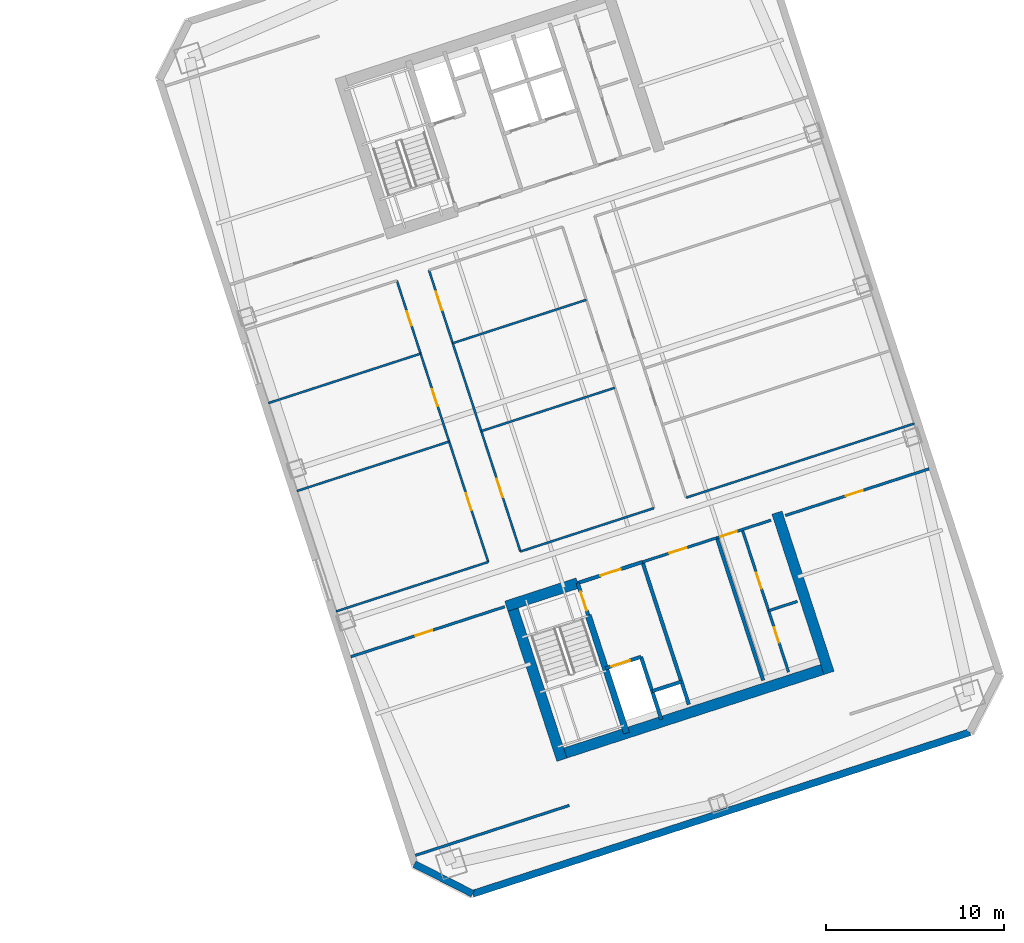
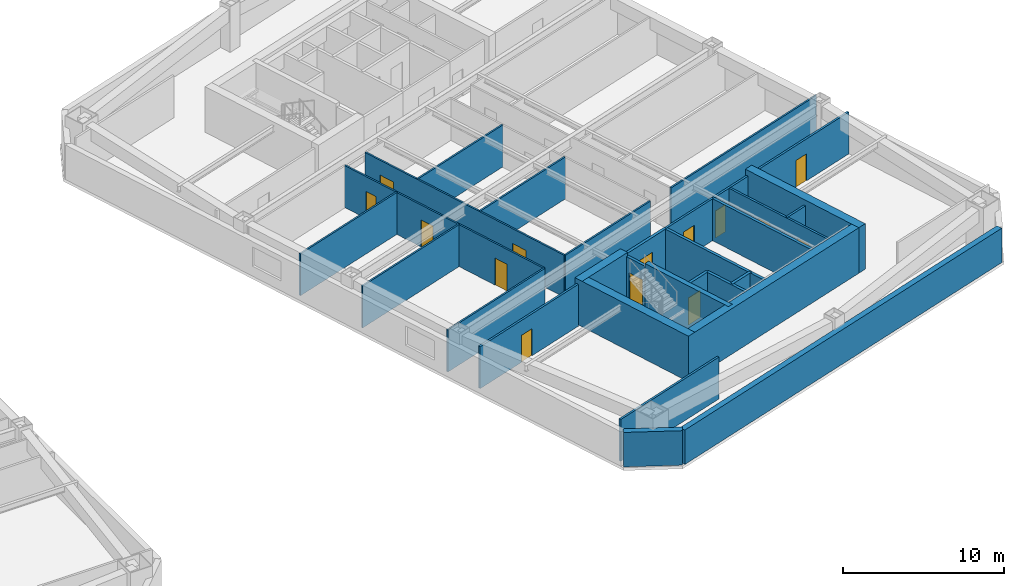
# One storey, part 6 of 11: 30 walls, 14 doors, 14 openings.
"""IFC4 building model written with IfcOpenShell, lengths in metres."""

from ifc_helpers import new_model, si_unit, direction, frame, frame_2d, origin, place, context, subcontext, project, spatial, rectangle, extrude, material, layer, layer_set, type_object, element, fill, save


model = new_model("IFC4")

# Units and contexts
model_context = context("Model", 3, precision=1e-05, world=origin(), true_north=direction((0.0, 1.0)))
body_context = subcontext(model_context, "Body", "Model", "MODEL_VIEW")
ifc_project = project(units=[si_unit("LENGTHUNIT", "METRE"), si_unit("AREAUNIT", "SQUARE_METRE"), si_unit("VOLUMEUNIT", "CUBIC_METRE"), si_unit("PLANEANGLEUNIT", "RADIAN"), si_unit("MASSUNIT", "GRAM", prefix="KILO")], contexts=[model_context])

# Site, building, storey
site_placement = place(None, origin())
site = spatial("IfcSite", under=ifc_project, at=site_placement, CompositionType="ELEMENT")
building_placement = place(site_placement, origin())
building = spatial("IfcBuilding", under=site, at=building_placement, Name="Qiaolan Cultural Towers", CompositionType="ELEMENT")
storey_placement = place(building_placement, frame((0.0, 0.0, 117.300048828125)))
storey = spatial("IfcBuildingStorey", under=building, at=storey_placement, Name="L30", CompositionType="ELEMENT", Elevation=117.300048828125)

# Walls
ifc_material_1 = material(Name="Concrete C50", Category="concrete")
ifc_layer_1 = layer(ifc_material_1, 0.35009765625)
ifc_layer_set_1 = layer_set([ifc_layer_1], Name="Concrete C50")
wall_type_1 = type_object("IfcWallType", Name="WL-CORE-350", PredefinedType="SHEAR", material=ifc_layer_set_1)
wall_1_placement = place(storey_placement, frame((90.486328125, 20.59423828125, 0.0), z_axis=(0.0, 0.0, 1.0), x_axis=(0.309020428229, -0.951055400562, 0.0)))
element("IfcWall", 1, at=wall_1_placement, inside=storey, type_object=wall_type_1, Name="L30 T2-CS Stair Core Dividing Web", PredefinedType="SHEAR", context=body_context, shape_type="SweptSolid", body=[
    extrude(rectangle(XDim=6.97998046875, YDim=0.35009765625, at=frame_2d((3.489990234375, 0.0))), origin(), (0.0, 0.0, 1.0), 3.449951171875),
])
ifc_material_2 = material(Name="Concrete C55", Category="concrete")
ifc_layer_2 = layer(ifc_material_2, 0.60009765625)
ifc_layer_set_2 = layer_set([ifc_layer_2], Name="Concrete C55")
wall_type_2 = type_object("IfcWallType", Name="WL-CORE-600", PredefinedType="SHEAR", material=ifc_layer_set_2)
wall_2_placement = place(storey_placement, frame((88.6298828125, 12.65185546875, 0.0), z_axis=(0.0, 0.0, 1.0), x_axis=(0.95105714907, 0.309015046886, 0.0)))
element("IfcWall", 2, at=wall_2_placement, inside=storey, type_object=wall_type_2, Name="L30 T2-CS Outer Core Shear Wall", PredefinedType="SHEAR", context=body_context, shape_type="SweptSolid", body=[
    extrude(rectangle(XDim=16.400146484375, YDim=0.60009765625, at=frame_2d((8.2001953125, 0.0))), origin(), (0.0, 0.0, 1.0), 3.449951171875),
])
wall_3_placement = place(storey_placement, frame((86.078369140625, 21.47509765625, 0.0), z_axis=(0.0, 0.0, 1.0), x_axis=(0.309017938678, -0.951056209472, 0.0)))
element("IfcWall", 3, at=wall_3_placement, inside=storey, type_object=wall_type_2, Name="L30 T2-CS West Core Shear Wall", PredefinedType="SHEAR", context=body_context, shape_type="SweptSolid", body=[
    extrude(rectangle(XDim=9.479736328125, YDim=0.60009765625, at=frame_2d((4.73974609375, 0.0))), origin(), (0.0, 0.0, 1.0), 3.449951171875),
])
wall_4_placement = place(storey_placement, frame((101.105224609375, 26.357666015625, 0.0), z_axis=(0.0, 0.0, 1.0), x_axis=(0.309010370028, -0.95105866865, 0.0)))
element("IfcWall", 4, at=wall_4_placement, inside=storey, type_object=wall_type_2, Name="L30 T2-CS East Core Shear Wall", PredefinedType="SHEAR", context=body_context, shape_type="SweptSolid", body=[
    extrude(rectangle(XDim=9.47998046875, YDim=0.60009765625, at=frame_2d((4.739990234375, 0.0))), origin(), (0.0, 0.0, 1.0), 3.449951171875),
])
wall_5_placement = place(storey_placement, frame((85.8857421875, 21.09716796875, 0.0), z_axis=(0.0, 0.0, 1.0), x_axis=(0.951068073652, 0.308981422225, 0.0)))
element("IfcWall", 5, at=wall_5_placement, inside=storey, type_object=wall_type_2, Name="L30 T2-CS Stair Front Shear Wall", PredefinedType="SHEAR", context=body_context, shape_type="SweptSolid", body=[
    extrude(rectangle(XDim=4.22021484375, YDim=0.60009765625, at=frame_2d((2.110107421875, 0.0))), origin(), (0.0, 0.0, 1.0), 3.449951171875),
])
ifc_material_3 = material(Name="Precast Concrete C50 Honed Stone Pier", Category="masonry")
ifc_layer_3 = layer(ifc_material_3, 0.39990234375)
ifc_layer_set_3 = layer_set([ifc_layer_3], Name="Precast Concrete C50 Honed Stone Pier")
wall_type_3 = type_object("IfcWallType", Name="WL-EXT-PIER-400", PredefinedType="SOLIDWALL", material=ifc_layer_set_3)
wall_6_placement = place(storey_placement, frame((111.953125, 14.00537109375, 0.0), z_axis=(0.0, 0.0, 1.0), x_axis=(-0.95105505922, -0.309021478754, 0.0)))
element("IfcWall", 6, at=wall_6_placement, inside=storey, type_object=wall_type_3, Name="L30 East Tower Precast Pier Facade Wall F7", PredefinedType="SOLIDWALL", context=body_context, shape_type="SweptSolid", body=[
    extrude(rectangle(XDim=29.39990234375, YDim=0.39990234375, at=frame_2d((14.699951171875, 0.0))), origin(), (0.0, 0.0, 1.0), 2.60986328125),
])
wall_7_placement = place(storey_placement, frame((83.9921875, 4.920166015625, 0.0), z_axis=(0.0, 0.0, 1.0), x_axis=(-0.891001999643, 0.45399937955, 0.0)))
element("IfcWall", 7, at=wall_7_placement, inside=storey, type_object=wall_type_3, Name="L30 East Tower Precast Pier Facade Wall F8", PredefinedType="SOLIDWALL", context=body_context, shape_type="SweptSolid", body=[
    extrude(rectangle(XDim=3.67724609375, YDim=0.39990234375, at=frame_2d((1.838623046875, 0.0))), origin(), (0.0, 0.0, 1.0), 2.60986328125),
])

# Wall, opening, door
ifc_material_4 = material(Name="Concrete C35 Fire Wall", Category="concrete")
ifc_layer_4 = layer(ifc_material_4, 0.199951171875)
ifc_layer_set_4 = layer_set([ifc_layer_4], Name="Concrete C35 Fire Wall")
wall_type_4 = type_object("IfcWallType", Name="WL-FIRE-200", PredefinedType="PARTITIONING", material=ifc_layer_set_4)
wall_8_placement = place(storey_placement, frame((89.8994140625, 22.401123046875, 0.0), z_axis=(0.0, 0.0, 1.0), x_axis=(0.308932062672, -0.951084108086, 0.0)))
wall_8 = element("IfcWall", 8, at=wall_8_placement, inside=storey, type_object=wall_type_4, Name="L30 T2-CS Smokeproof Stair Entry Wall", PredefinedType="PARTITIONING", context=body_context, shape_type="SweptSolid", body=[
    extrude(rectangle(XDim=1.89990234375, YDim=0.199951171875, at=frame_2d((0.949951171875, 0.0))), origin(), (0.0, 0.0, 1.0), 3.175048828125),
])
opening_1_placement = place(wall_8_placement, frame((0.52001953125, 0.0, 0.0)))
opening_1 = element("IfcOpeningElement", 9, at=opening_1_placement, cuts=wall_8, Name="Opening FD-04", PredefinedType="OPENING", context=body_context, shape_type="SweptSolid", body=[
    extrude(rectangle(XDim=1.10009765625, YDim=2.050048828125, at=frame_2d((0.550048828125, 1.02490234375))), frame((0.0, 0.10986328125, 0.0), z_axis=(0.0, -1.0, 0.0), x_axis=(1.0, 0.0, 0.0)), (0.0, 0.0, 1.0), 0.219970703125),
])
ifc_material_5 = material(Name="Galvanized Steel Command Fire Door", Category="steel")
door_type_1 = type_object("IfcDoorType", Name="DR-FD90-1100", OperationType="NOTDEFINED", PredefinedType="DOOR", material=ifc_material_5)
door_1_placement = place(opening_1_placement, origin())
door_1 = element("IfcDoor", 10, at=door_1_placement, inside=storey, type_object=door_type_1, Name="L30 ST-E1 Smokeproof Stair Fire Door", OperationType="SINGLE_SWING_LEFT", OverallHeight=2.050048828125, OverallWidth=1.10009765625, PredefinedType="DOOR", context=body_context, shape_type="SweptSolid", body=[
    extrude(rectangle(XDim=1.10009765625, YDim=2.050048828125, at=frame_2d((0.550048828125, 1.02490234375))), frame((0.0, 0.02490234375, 0.0), z_axis=(0.0, -1.0, 0.0), x_axis=(1.0, 0.0, 0.0)), (0.0, 0.0, 1.0), 0.050048828125),
])
fill(opening_1, door_1)

# Wall
wall_9_placement = place(storey_placement, frame((93.541748046875, 23.584716796875, 0.0), z_axis=(0.0, 0.0, 1.0), x_axis=(0.309042196757, -0.951048327176, 0.0)))
element("IfcWall", 11, at=wall_9_placement, inside=storey, type_object=wall_type_4, Name="L30 T2-CS Firefighting Zone Wall", PredefinedType="PARTITIONING", context=body_context, shape_type="SweptSolid", body=[
    extrude(rectangle(XDim=8.429931640625, YDim=0.199951171875, at=frame_2d((4.21484375, 0.0))), origin(), (0.0, 0.0, 1.0), 3.175048828125),
])

# Wall, opening, door
wall_10_placement = place(storey_placement, frame((89.8994140625, 22.401123046875, 0.0), z_axis=(0.0, 0.0, 1.0), x_axis=(0.951046716504, 0.309047153403, 0.0)))
wall_10 = element("IfcWall", 12, at=wall_10_placement, inside=storey, type_object=wall_type_4, Name="L30 T2-CS Firefighting Lobby Front Wall", PredefinedType="PARTITIONING", context=body_context, shape_type="SweptSolid", body=[
    extrude(rectangle(XDim=3.829833984375, YDim=0.199951171875, at=frame_2d((1.9150390625, 0.0))), origin(), (0.0, 0.0, 1.0), 3.175048828125),
])
opening_2_placement = place(wall_10_placement, frame((1.35009765625, 0.0, 0.0)))
opening_2 = element("IfcOpeningElement", 13, at=opening_2_placement, cuts=wall_10, Name="Opening FD-03", PredefinedType="OPENING", context=body_context, shape_type="SweptSolid", body=[
    extrude(rectangle(XDim=1.199951171875, YDim=2.050048828125, at=frame_2d((0.60009765625, 1.02490234375))), frame((0.0, 0.10986328125, 0.0), z_axis=(0.0, -1.0, 0.0), x_axis=(1.0, 0.0, 0.0)), (0.0, 0.0, 1.0), 0.219970703125),
])
ifc_material_6 = material(Name="Galvanized Steel Smokeproof Lobby Fire Door", Category="steel")
door_type_2 = type_object("IfcDoorType", Name="DR-FD90-1200", OperationType="NOTDEFINED", PredefinedType="DOOR", material=ifc_material_6)
door_2_placement = place(opening_2_placement, origin())
door_2 = element("IfcDoor", 14, at=door_2_placement, inside=storey, type_object=door_type_2, Name="L30 FFL-E1 Firefighting Lobby Fire Door", OperationType="SINGLE_SWING_LEFT", OverallHeight=2.050048828125, OverallWidth=1.199951171875, PredefinedType="DOOR", context=body_context, shape_type="SweptSolid", body=[
    extrude(rectangle(XDim=1.199951171875, YDim=2.050048828125, at=frame_2d((0.60009765625, 1.02490234375))), frame((0.0, 0.02490234375, 0.0), z_axis=(0.0, -1.0, 0.0), x_axis=(1.0, 0.0, 0.0)), (0.0, 0.0, 1.0), 0.050048828125),
])
fill(opening_2, door_2)

wall_11_placement = place(storey_placement, frame((91.459716796875, 17.598388671875, 0.0), z_axis=(0.0, 0.0, 1.0), x_axis=(0.951062257173, 0.308999325213, 0.0)))
wall_11 = element("IfcWall", 15, at=wall_11_placement, inside=storey, type_object=wall_type_4, Name="L30 T2-CS Firefighting Shaft Front Wall", PredefinedType="PARTITIONING", context=body_context, shape_type="SweptSolid", body=[
    extrude(rectangle(XDim=2.10009765625, YDim=0.199951171875, at=frame_2d((1.050048828125, 0.0))), origin(), (0.0, 0.0, 1.0), 3.175048828125),
])
opening_3_placement = place(wall_11_placement, frame((0.35009765625, 0.0, 0.0)))
opening_3 = element("IfcOpeningElement", 16, at=opening_3_placement, cuts=wall_11, Name="Opening LD-01", PredefinedType="OPENING", context=body_context, shape_type="SweptSolid", body=[
    extrude(rectangle(XDim=1.10009765625, YDim=2.050048828125, at=frame_2d((0.550048828125, 1.02490234375))), frame((0.0, 0.10986328125, 0.0), z_axis=(0.0, -1.0, 0.0), x_axis=(1.0, 0.0, 0.0)), (0.0, 0.0, 1.0), 0.219970703125),
])
ifc_material_7 = material(Name="Brushed Stainless Steel S30408 Centre-Parting Lift Landing Door", Category="steel")
door_type_3 = type_object("IfcDoorType", Name="DR-LIFT-1100", OperationType="NOTDEFINED", PredefinedType="DOOR", material=ifc_material_7)
door_3_placement = place(opening_3_placement, origin())
door_3 = element("IfcDoor", 17, at=door_3_placement, inside=storey, type_object=door_type_3, Name="L30 FFL-E1 Firefighting Lift Landing Door", OperationType="DOUBLE_DOOR_SLIDING", OverallHeight=2.050048828125, OverallWidth=1.10009765625, PredefinedType="DOOR", context=body_context, shape_type="SweptSolid", body=[
    extrude(rectangle(XDim=1.10009765625, YDim=2.050048828125, at=frame_2d((0.550048828125, 1.02490234375))), frame((0.0, 0.02490234375, 0.0), z_axis=(0.0, -1.0, 0.0), x_axis=(1.0, 0.0, 0.0)), (0.0, 0.0, 1.0), 0.050048828125),
])
fill(opening_3, door_3)

# Walls
wall_12_placement = place(storey_placement, frame((93.45703125, 18.247314453125, 0.0), z_axis=(0.0, 0.0, 1.0), x_axis=(0.3089935693, -0.951064127245, 0.0)))
element("IfcWall", 18, at=wall_12_placement, inside=storey, type_object=wall_type_4, Name="L30 T2-CS Firefighting Hoistway East Wall", PredefinedType="PARTITIONING", context=body_context, shape_type="SweptSolid", body=[
    extrude(rectangle(XDim=3.7001953125, YDim=0.199951171875, at=frame_2d((1.85009765625, 0.0))), origin(), (0.0, 0.0, 1.0), 3.175048828125),
])
wall_13_placement = place(storey_placement, frame((94.08447265625, 16.316650390625, 0.0), z_axis=(0.0, 0.0, 1.0), x_axis=(0.951041328149, 0.309063734775, 0.0)))
element("IfcWall", 19, at=wall_13_placement, inside=storey, type_object=wall_type_4, Name="L30 T2-CS Pressurization Shaft Front Wall", PredefinedType="PARTITIONING", context=body_context, shape_type="SweptSolid", body=[
    extrude(rectangle(XDim=1.72998046875, YDim=0.199951171875, at=frame_2d((0.864990234375, 0.0))), origin(), (0.0, 0.0, 1.0), 3.175048828125),
])
wall_14_placement = place(storey_placement, frame((97.7265625, 24.9443359375, 0.0), z_axis=(0.0, 0.0, 1.0), x_axis=(0.309016001439, -0.951056838919, 0.0)))
element("IfcWall", 20, at=wall_14_placement, inside=storey, type_object=wall_type_4, Name="L30 T2-CS Lift Core East Wall", PredefinedType="PARTITIONING", context=body_context, shape_type="SweptSolid", body=[
    extrude(rectangle(XDim=8.429931640625, YDim=0.199951171875, at=frame_2d((4.21484375, 0.0))), origin(), (0.0, 0.0, 1.0), 3.175048828125),
])
ifc_material_8 = material(Name="Gypsum Stud Acoustic Partition", Category="gypsum")
ifc_layer_5 = layer(ifc_material_8, 0.1201171875)
ifc_layer_set_5 = layer_set([ifc_layer_5], Name="Gypsum Stud Acoustic Partition")
wall_type_5 = type_object("IfcWallType", Name="WL-PART-120", PredefinedType="PARTITIONING", material=ifc_layer_set_5)
wall_15_placement = place(storey_placement, frame((76.307861328125, 20.802978515625, 0.0), z_axis=(0.0, 0.0, 1.0), x_axis=(0.951054001411, 0.309024734286, 0.0)))
element("IfcWall", 21, at=wall_15_placement, inside=storey, type_object=wall_type_5, Name="L30 T2 Interior Wall", PredefinedType="PARTITIONING", context=body_context, shape_type="SweptSolid", body=[
    extrude(rectangle(XDim=9.0, YDim=0.1201171875, at=frame_2d((4.5, 0.0))), origin(), (0.0, 0.0, 1.0), 3.175048828125),
])
wall_16_placement = place(storey_placement, frame((86.674560546875, 24.17138671875, 0.0), z_axis=(0.0, 0.0, 1.0), x_axis=(0.951057231385, 0.309014793547, 0.0)))
element("IfcWall", 22, at=wall_16_placement, inside=storey, type_object=wall_type_5, Name="L30 T2 Interior Wall", PredefinedType="PARTITIONING", context=body_context, shape_type="SweptSolid", body=[
    extrude(rectangle(XDim=7.89990234375, YDim=0.1201171875, at=frame_2d((3.949951171875, 0.0))), origin(), (0.0, 0.0, 1.0), 3.175048828125),
])
wall_17_placement = place(storey_placement, frame((95.994873046875, 27.19970703125, 0.0), z_axis=(0.0, 0.0, 1.0), x_axis=(0.951057589409, 0.309013691651, 0.0)))
element("IfcWall", 23, at=wall_17_placement, inside=storey, type_object=wall_type_5, Name="L30 T2 Interior Wall", PredefinedType="PARTITIONING", context=body_context, shape_type="SweptSolid", body=[
    extrude(rectangle(XDim=13.499755859375, YDim=0.1201171875, at=frame_2d((6.75, 0.0))), origin(), (0.0, 0.0, 1.0), 3.175048828125),
])

# Wall, openings, doors
wall_18_placement = place(storey_placement, frame((84.867431640625, 23.584228515625, 0.0), z_axis=(0.0, 0.0, 1.0), x_axis=(-0.309022042254, 0.951054876125, 0.0)))
wall_18 = element("IfcWall", 24, at=wall_18_placement, inside=storey, type_object=wall_type_5, Name="L30 T2 Interior Wall", PredefinedType="PARTITIONING", context=body_context, shape_type="SweptSolid", body=[
    extrude(rectangle(XDim=16.639892578125, YDim=0.1201171875, at=frame_2d((8.31982421875, 0.0))), origin(), (0.0, 0.0, 1.0), 3.175048828125),
])
opening_4_placement = place(wall_18_placement, frame((3.06005859375, 0.0, 0.0)))
opening_4 = element("IfcOpeningElement", 25, at=opening_4_placement, cuts=wall_18, Name="Opening ID-04", PredefinedType="OPENING", context=body_context, shape_type="SweptSolid", body=[
    extrude(rectangle(XDim=1.0, YDim=2.050048828125, at=frame_2d((0.5, 1.02490234375))), frame((0.0, 0.070068359375, 0.0), z_axis=(0.0, -1.0, 0.0), x_axis=(1.0, 0.0, 0.0)), (0.0, 0.0, 1.0), 0.14013671875),
])
opening_5_placement = place(wall_18_placement, frame((9.219970703125, 0.0, 0.0)))
opening_5 = element("IfcOpeningElement", 26, at=opening_5_placement, cuts=wall_18, Name="Opening ID-04", PredefinedType="OPENING", context=body_context, shape_type="SweptSolid", body=[
    extrude(rectangle(XDim=1.0, YDim=2.050048828125, at=frame_2d((0.5, 1.02490234375))), frame((0.0, 0.070068359375, 0.0), z_axis=(0.0, -1.0, 0.0), x_axis=(1.0, 0.0, 0.0)), (0.0, 0.0, 1.0), 0.14013671875),
])
opening_6_placement = place(wall_18_placement, frame((13.97998046875, 0.0, 0.0)))
opening_6 = element("IfcOpeningElement", 27, at=opening_6_placement, cuts=wall_18, Name="Opening ID-09", PredefinedType="OPENING", context=body_context, shape_type="SweptSolid", body=[
    extrude(rectangle(XDim=0.85009765625, YDim=2.050048828125, at=frame_2d((0.425048828125, 1.02490234375))), frame((0.0, 0.070068359375, 0.0), z_axis=(0.0, -1.0, 0.0), x_axis=(1.0, 0.0, 0.0)), (0.0, 0.0, 1.0), 0.14013671875),
])
ifc_material_9 = material(Name="Oak Veneer Acoustic Office Door", Category="timber")
door_type_4 = type_object("IfcDoorType", Name="DR-INT-1000", OperationType="NOTDEFINED", PredefinedType="DOOR", material=ifc_material_9)
door_4_placement = place(opening_4_placement, origin())
door_4 = element("IfcDoor", 28, at=door_4_placement, inside=storey, type_object=door_type_4, Name="L30 T2 Publication Showroom Door", OperationType="SINGLE_SWING_LEFT", OverallHeight=2.050048828125, OverallWidth=1.0, PredefinedType="DOOR", context=body_context, shape_type="SweptSolid", body=[
    extrude(rectangle(XDim=1.0, YDim=2.050048828125, at=frame_2d((0.5, 1.02490234375))), frame((0.0, 0.02490234375, 0.0), z_axis=(0.0, -1.0, 0.0), x_axis=(1.0, 0.0, 0.0)), (0.0, 0.0, 1.0), 0.050048828125),
])
fill(opening_4, door_4)
door_5_placement = place(opening_5_placement, origin())
door_5 = element("IfcDoor", 29, at=door_5_placement, inside=storey, type_object=door_type_4, Name="L30 T2 Publication Showroom Door", OperationType="SINGLE_SWING_RIGHT", OverallHeight=2.050048828125, OverallWidth=1.0, PredefinedType="DOOR", context=body_context, shape_type="SweptSolid", body=[
    extrude(rectangle(XDim=1.0, YDim=2.050048828125, at=frame_2d((0.5, 1.02490234375))), frame((0.0, 0.02490234375, 0.0), z_axis=(0.0, -1.0, 0.0), x_axis=(1.0, 0.0, 0.0)), (0.0, 0.0, 1.0), 0.050048828125),
])
fill(opening_5, door_5)
ifc_material_10 = material(Name="Moisture-Resistant Laminate Utility Door", Category="timber")
door_type_5 = type_object("IfcDoorType", Name="DR-INT-850", OperationType="NOTDEFINED", PredefinedType="DOOR", material=ifc_material_10)
door_6_placement = place(opening_6_placement, origin())
door_6 = element("IfcDoor", 30, at=door_6_placement, inside=storey, type_object=door_type_5, Name="L30 T2 Cataloguing Kitchenette Door", OperationType="SINGLE_SWING_LEFT", OverallHeight=2.050048828125, OverallWidth=0.85009765625, PredefinedType="DOOR", context=body_context, shape_type="SweptSolid", body=[
    extrude(rectangle(XDim=0.85009765625, YDim=2.050048828125, at=frame_2d((0.425048828125, 1.02490234375))), frame((0.0, 0.02490234375, 0.0), z_axis=(0.0, -1.0, 0.0), x_axis=(1.0, 0.0, 0.0)), (0.0, 0.0, 1.0), 0.050048828125),
])
fill(opening_6, door_6)

wall_19_placement = place(storey_placement, frame((86.674560546875, 24.17138671875, 0.0), z_axis=(0.0, 0.0, 1.0), x_axis=(-0.309022042254, 0.951054876125, 0.0)))
wall_19 = element("IfcWall", 31, at=wall_19_placement, inside=storey, type_object=wall_type_5, Name="L30 T2 Interior Wall", PredefinedType="PARTITIONING", context=body_context, shape_type="SweptSolid", body=[
    extrude(rectangle(XDim=16.639892578125, YDim=0.1201171875, at=frame_2d((8.31982421875, 0.0))), origin(), (0.0, 0.0, 1.0), 3.175048828125),
])
opening_7_placement = place(wall_19_placement, frame((3.2041015625, 0.0, 0.0)))
opening_7 = element("IfcOpeningElement", 32, at=opening_7_placement, cuts=wall_19, Name="Opening ID-03", PredefinedType="OPENING", context=body_context, shape_type="SweptSolid", body=[
    extrude(rectangle(XDim=1.10009765625, YDim=2.050048828125, at=frame_2d((0.550048828125, 1.02490234375))), frame((0.0, 0.070068359375, 0.0), z_axis=(0.0, -1.0, 0.0), x_axis=(1.0, 0.0, 0.0)), (0.0, 0.0, 1.0), 0.14013671875),
])
opening_8_placement = place(wall_19_placement, frame((14.263916015625, 0.0, 0.0)))
opening_8 = element("IfcOpeningElement", 33, at=opening_8_placement, cuts=wall_19, Name="Opening ID-03", PredefinedType="OPENING", context=body_context, shape_type="SweptSolid", body=[
    extrude(rectangle(XDim=1.10009765625, YDim=2.050048828125, at=frame_2d((0.550048828125, 1.02490234375))), frame((0.0, 0.070068359375, 0.0), z_axis=(0.0, -1.0, 0.0), x_axis=(1.0, 0.0, 0.0)), (0.0, 0.0, 1.0), 0.14013671875),
])
ifc_material_11 = material(Name="Oak Veneer Solid-Core Boardroom Door", Category="timber")
door_type_6 = type_object("IfcDoorType", Name="DR-INT-1100", OperationType="NOTDEFINED", PredefinedType="DOOR", material=ifc_material_11)
door_7_placement = place(opening_7_placement, origin())
door_7 = element("IfcDoor", 34, at=door_7_placement, inside=storey, type_object=door_type_6, Name="L30 T2 Central Boardroom Door", OperationType="SINGLE_SWING_LEFT", OverallHeight=2.050048828125, OverallWidth=1.10009765625, PredefinedType="DOOR", context=body_context, shape_type="SweptSolid", body=[
    extrude(rectangle(XDim=1.10009765625, YDim=2.050048828125, at=frame_2d((0.550048828125, 1.02490234375))), frame((0.0, 0.02490234375, 0.0), z_axis=(0.0, -1.0, 0.0), x_axis=(1.0, 0.0, 0.0)), (0.0, 0.0, 1.0), 0.050048828125),
])
fill(opening_7, door_7)
door_8_placement = place(opening_8_placement, origin())
door_8 = element("IfcDoor", 35, at=door_8_placement, inside=storey, type_object=door_type_6, Name="L30 T2 Central Archive Room Door", OperationType="SINGLE_SWING_RIGHT", OverallHeight=2.050048828125, OverallWidth=1.10009765625, PredefinedType="DOOR", context=body_context, shape_type="SweptSolid", body=[
    extrude(rectangle(XDim=1.10009765625, YDim=2.050048828125, at=frame_2d((0.550048828125, 1.02490234375))), frame((0.0, 0.02490234375, 0.0), z_axis=(0.0, -1.0, 0.0), x_axis=(1.0, 0.0, 0.0)), (0.0, 0.0, 1.0), 0.050048828125),
])
fill(opening_8, door_8)

# Walls
for number, where, z_axis, x_axis, name in (
    (36, (84.474365234375, 30.94287109375, 0.0), (0.0, 0.0, 1.0), (0.951057231385, 0.309014793547, 0.0), "L30 T2 Interior Wall"),
    (37, (82.867431640625, 35.888427734375, 0.0), (0.0, 0.0, 1.0), (0.951057231385, 0.309014793547, 0.0), "L30 T2 Interior Wall"),
):
    element("IfcWall", number, at=place(storey_placement, frame(where, z_axis=z_axis, x_axis=x_axis)), inside=storey, type_object=wall_type_5, Name=name, PredefinedType="PARTITIONING", context=body_context, shape_type="SweptSolid", body=[
        extrude(rectangle(XDim=7.89990234375, YDim=0.1201171875, at=frame_2d((3.949951171875, 0.0))), origin(), (0.0, 0.0, 1.0), 3.175048828125),
    ])
wall_20_placement = place(storey_placement, frame((74.107666015625, 27.574462890625, 0.0), z_axis=(0.0, 0.0, 1.0), x_axis=(0.951054001411, 0.309024734286, 0.0)))
element("IfcWall", 38, at=wall_20_placement, inside=storey, type_object=wall_type_5, Name="L30 T2 Interior Wall", PredefinedType="PARTITIONING", context=body_context, shape_type="SweptSolid", body=[
    extrude(rectangle(XDim=9.0, YDim=0.1201171875, at=frame_2d((4.5, 0.0))), origin(), (0.0, 0.0, 1.0), 3.175048828125),
])
wall_21_placement = place(storey_placement, frame((72.5009765625, 32.52001953125, 0.0), z_axis=(0.0, 0.0, 1.0), x_axis=(0.951051410833, 0.309032706929, 0.0)))
element("IfcWall", 39, at=wall_21_placement, inside=storey, type_object=wall_type_5, Name="L30 T2 Interior Wall", PredefinedType="PARTITIONING", context=body_context, shape_type="SweptSolid", body=[
    extrude(rectangle(XDim=8.999755859375, YDim=0.1201171875, at=frame_2d((4.5, 0.0))), origin(), (0.0, 0.0, 1.0), 3.175048828125),
])

# Wall, opening, door
ifc_material_12 = material(Name="Autoclaved Aerated Concrete Block B06", Category="concrete")
ifc_layer_6 = layer(ifc_material_12, 0.14990234375)
ifc_layer_set_6 = layer_set([ifc_layer_6], Name="Autoclaved Aerated Concrete Block B06")
wall_type_6 = type_object("IfcWallType", Name="WL-PART-150", PredefinedType="PARTITIONING", material=ifc_layer_set_6)
wall_22_placement = place(storey_placement, frame((93.541748046875, 23.584716796875, 0.0), z_axis=(0.0, 0.0, 1.0), x_axis=(0.951063829732, 0.308994485023, 0.0)))
wall_22 = element("IfcWall", 40, at=wall_22_placement, inside=storey, type_object=wall_type_6, Name="L30 T2-CS Reclaimed Core Room Front Wall", PredefinedType="PARTITIONING", context=body_context, shape_type="SweptSolid", body=[
    extrude(rectangle(XDim=4.400146484375, YDim=0.14990234375, at=frame_2d((2.2001953125, 0.0))), origin(), (0.0, 0.0, 1.0), 3.175048828125),
])
opening_9_placement = place(wall_22_placement, frame((1.60009765625, 0.0, 0.0)))
opening_9 = element("IfcOpeningElement", 41, at=opening_9_placement, cuts=wall_22, Name="Opening ID-04", PredefinedType="OPENING", context=body_context, shape_type="SweptSolid", body=[
    extrude(rectangle(XDim=1.0, YDim=2.050048828125, at=frame_2d((0.5, 1.02490234375))), frame((0.0, 0.0849609375, 0.0), z_axis=(0.0, -1.0, 0.0), x_axis=(1.0, 0.0, 0.0)), (0.0, 0.0, 1.0), 0.169921875),
])
door_9_placement = place(opening_9_placement, origin())
door_9 = element("IfcDoor", 42, at=door_9_placement, inside=storey, type_object=door_type_4, Name="L30 Reclaimed Archive Room Door", OperationType="SINGLE_SWING_LEFT", OverallHeight=2.050048828125, OverallWidth=1.0, PredefinedType="DOOR", context=body_context, shape_type="SweptSolid", body=[
    extrude(rectangle(XDim=1.0, YDim=2.050048828125, at=frame_2d((0.5, 1.02490234375))), frame((0.0, 0.02490234375, 0.0), z_axis=(0.0, -1.0, 0.0), x_axis=(1.0, 0.0, 0.0)), (0.0, 0.0, 1.0), 0.050048828125),
])
fill(opening_9, door_9)

wall_23_placement = place(storey_placement, frame((97.7265625, 24.9443359375, 0.0), z_axis=(0.0, 0.0, 1.0), x_axis=(0.951036872128, 0.309077446369, 0.0)))
wall_23 = element("IfcWall", 43, at=wall_23_placement, inside=storey, type_object=wall_type_6, Name="L30 T2-CS Sanitary Core Front Wall", PredefinedType="PARTITIONING", context=body_context, shape_type="SweptSolid", body=[
    extrude(rectangle(XDim=3.199951171875, YDim=0.14990234375, at=frame_2d((1.60009765625, 0.0))), origin(), (0.0, 0.0, 1.0), 3.175048828125),
])
opening_10_placement = place(wall_23_placement, frame((0.219970703125, 0.0, 0.0)))
opening_10 = element("IfcOpeningElement", 44, at=opening_10_placement, cuts=wall_23, Name="Opening ID-05", PredefinedType="OPENING", context=body_context, shape_type="SweptSolid", body=[
    extrude(rectangle(XDim=0.949951171875, YDim=2.050048828125, at=frame_2d((0.47509765625, 1.02490234375))), frame((0.0, 0.0849609375, 0.0), z_axis=(0.0, -1.0, 0.0), x_axis=(1.0, 0.0, 0.0)), (0.0, 0.0, 1.0), 0.169921875),
])
ifc_material_13 = material(Name="Fire-Rated Laminate Accessible Core Door", Category="timber")
door_type_7 = type_object("IfcDoorType", Name="DR-INT-950", OperationType="NOTDEFINED", PredefinedType="DOOR", material=ifc_material_13)
door_10_placement = place(opening_10_placement, origin())
door_10 = element("IfcDoor", 45, at=door_10_placement, inside=storey, type_object=door_type_7, Name="L30 Sanitary Lobby Door", OperationType="SINGLE_SWING_LEFT", OverallHeight=2.050048828125, OverallWidth=0.949951171875, PredefinedType="DOOR", context=body_context, shape_type="SweptSolid", body=[
    extrude(rectangle(XDim=0.949951171875, YDim=2.050048828125, at=frame_2d((0.47509765625, 1.02490234375))), frame((0.0, 0.02490234375, 0.0), z_axis=(0.0, -1.0, 0.0), x_axis=(1.0, 0.0, 0.0)), (0.0, 0.0, 1.0), 0.050048828125),
])
fill(opening_10, door_10)

# Wall, openings, doors
wall_24_placement = place(storey_placement, frame((99.153076171875, 25.407958984375, 0.0), z_axis=(0.0, 0.0, 1.0), x_axis=(0.309016001439, -0.951056838919, 0.0)))
wall_24 = element("IfcWall", 46, at=wall_24_placement, inside=storey, type_object=wall_type_6, Name="L30 T2-CS Washroom Split Wall", PredefinedType="PARTITIONING", context=body_context, shape_type="SweptSolid", body=[
    extrude(rectangle(XDim=8.429931640625, YDim=0.14990234375, at=frame_2d((4.21484375, 0.0))), origin(), (0.0, 0.0, 1.0), 3.175048828125),
])
opening_11_placement = place(wall_24_placement, frame((2.550048828125, 0.0, 0.0)))
opening_11 = element("IfcOpeningElement", 47, at=opening_11_placement, cuts=wall_24, Name="Opening ID-05", PredefinedType="OPENING", context=body_context, shape_type="SweptSolid", body=[
    extrude(rectangle(XDim=0.949951171875, YDim=2.050048828125, at=frame_2d((0.47509765625, 1.02490234375))), frame((0.0, 0.0849609375, 0.0), z_axis=(0.0, -1.0, 0.0), x_axis=(1.0, 0.0, 0.0)), (0.0, 0.0, 1.0), 0.169921875),
])
opening_12_placement = place(wall_24_placement, frame((5.800048828125, 0.0, 0.0)))
opening_12 = element("IfcOpeningElement", 48, at=opening_12_placement, cuts=wall_24, Name="Opening ID-06", PredefinedType="OPENING", context=body_context, shape_type="SweptSolid", body=[
    extrude(rectangle(XDim=0.89990234375, YDim=2.050048828125, at=frame_2d((0.449951171875, 1.02490234375))), frame((0.0, 0.0849609375, 0.0), z_axis=(0.0, -1.0, 0.0), x_axis=(1.0, 0.0, 0.0)), (0.0, 0.0, 1.0), 0.169921875),
])
ifc_material_14 = material(Name="Fire-Rated Laminate Core Service Door", Category="timber")
door_type_8 = type_object("IfcDoorType", Name="DR-INT-900", OperationType="NOTDEFINED", PredefinedType="DOOR", material=ifc_material_14)
door_11_placement = place(opening_12_placement, origin())
door_11 = element("IfcDoor", 49, at=door_11_placement, inside=storey, type_object=door_type_8, Name="L30 First-Aid Room Door", OperationType="SINGLE_SWING_RIGHT", OverallHeight=2.050048828125, OverallWidth=0.89990234375, PredefinedType="DOOR", context=body_context, shape_type="SweptSolid", body=[
    extrude(rectangle(XDim=0.89990234375, YDim=2.050048828125, at=frame_2d((0.449951171875, 1.02490234375))), frame((0.0, 0.02490234375, 0.0), z_axis=(0.0, -1.0, 0.0), x_axis=(1.0, 0.0, 0.0)), (0.0, 0.0, 1.0), 0.050048828125),
])
fill(opening_12, door_11)
door_12_placement = place(opening_11_placement, origin())
door_12 = element("IfcDoor", 50, at=door_12_placement, inside=storey, type_object=door_type_7, Name="L30 Accessible Washroom Door", OperationType="SINGLE_SWING_LEFT", OverallHeight=2.050048828125, OverallWidth=0.949951171875, PredefinedType="DOOR", context=body_context, shape_type="SweptSolid", body=[
    extrude(rectangle(XDim=0.949951171875, YDim=2.050048828125, at=frame_2d((0.47509765625, 1.02490234375))), frame((0.0, 0.02490234375, 0.0), z_axis=(0.0, -1.0, 0.0), x_axis=(1.0, 0.0, 0.0)), (0.0, 0.0, 1.0), 0.050048828125),
])
fill(opening_11, door_12)

# Walls
wall_25_placement = place(storey_placement, frame((100.636474609375, 20.8427734375, 0.0), z_axis=(0.0, 0.0, 1.0), x_axis=(0.951040401051, 0.309066587596, 0.0)))
element("IfcWall", 51, at=wall_25_placement, inside=storey, type_object=wall_type_6, Name="L30 T2-CS First-Aid Wall", PredefinedType="PARTITIONING", context=body_context, shape_type="SweptSolid", body=[
    extrude(rectangle(XDim=1.699951171875, YDim=0.14990234375, at=frame_2d((0.85009765625, 0.0))), origin(), (0.0, 0.0, 1.0), 3.175048828125),
])
wall_26_placement = place(storey_placement, frame((80.76708984375, 7.079345703125, 0.0), z_axis=(0.0, 0.0, 1.0), x_axis=(0.951057133767, 0.309015093986, 0.0)))
element("IfcWall", 52, at=wall_26_placement, inside=storey, type_object=wall_type_6, Name="L30 T2 Flank Wall FLK-SW", PredefinedType="PARTITIONING", context=body_context, shape_type="SweptSolid", body=[
    extrude(rectangle(XDim=9.099853515625, YDim=0.14990234375, at=frame_2d((4.5498046875, 0.0))), origin(), (0.0, 0.0, 1.0), 3.175048828125),
])

# Wall, opening, door
wall_27_placement = place(storey_placement, frame((77.13623046875, 18.254150390625, 0.0), z_axis=(0.0, 0.0, 1.0), x_axis=(0.951057133767, 0.309015093986, 0.0)))
wall_27 = element("IfcWall", 53, at=wall_27_placement, inside=storey, type_object=wall_type_6, Name="L30 T2 Flank Front FLK-SW", PredefinedType="PARTITIONING", context=body_context, shape_type="SweptSolid", body=[
    extrude(rectangle(XDim=9.099853515625, YDim=0.14990234375, at=frame_2d((4.5498046875, 0.0))), origin(), (0.0, 0.0, 1.0), 3.175048828125),
])
opening_13_placement = place(wall_27_placement, frame((3.822021484375, 0.0, 0.0)))
opening_13 = element("IfcOpeningElement", 54, at=opening_13_placement, cuts=wall_27, Name="Opening ID-04", PredefinedType="OPENING", context=body_context, shape_type="SweptSolid", body=[
    extrude(rectangle(XDim=1.0, YDim=2.050048828125, at=frame_2d((0.5, 1.02490234375))), frame((0.0, 0.0849609375, 0.0), z_axis=(0.0, -1.0, 0.0), x_axis=(1.0, 0.0, 0.0)), (0.0, 0.0, 1.0), 0.169921875),
])
door_13_placement = place(opening_13_placement, origin())
door_13 = element("IfcDoor", 55, at=door_13_placement, inside=storey, type_object=door_type_4, Name="L30 T2 Corner Studio Door", OperationType="SINGLE_SWING_LEFT", OverallHeight=2.050048828125, OverallWidth=1.0, PredefinedType="DOOR", context=body_context, shape_type="SweptSolid", body=[
    extrude(rectangle(XDim=1.0, YDim=2.050048828125, at=frame_2d((0.5, 1.02490234375))), frame((0.0, 0.02490234375, 0.0), z_axis=(0.0, -1.0, 0.0), x_axis=(1.0, 0.0, 0.0)), (0.0, 0.0, 1.0), 0.050048828125),
])
fill(opening_13, door_13)

wall_28_placement = place(storey_placement, frame((101.578369140625, 26.196044921875, 0.0), z_axis=(0.0, 0.0, 1.0), x_axis=(0.951062770994, 0.308997743729, 0.0)))
wall_28 = element("IfcWall", 56, at=wall_28_placement, inside=storey, type_object=wall_type_6, Name="L30 T2 Flank Front FLK-SE", PredefinedType="PARTITIONING", context=body_context, shape_type="SweptSolid", body=[
    extrude(rectangle(XDim=8.5, YDim=0.14990234375, at=frame_2d((4.25, 0.0))), origin(), (0.0, 0.0, 1.0), 3.175048828125),
])
opening_14_placement = place(wall_28_placement, frame((3.570068359375, 0.0, 0.0)))
opening_14 = element("IfcOpeningElement", 57, at=opening_14_placement, cuts=wall_28, Name="Opening ID-04", PredefinedType="OPENING", context=body_context, shape_type="SweptSolid", body=[
    extrude(rectangle(XDim=1.0, YDim=2.050048828125, at=frame_2d((0.5, 1.02490234375))), frame((0.0, 0.0849609375, 0.0), z_axis=(0.0, -1.0, 0.0), x_axis=(1.0, 0.0, 0.0)), (0.0, 0.0, 1.0), 0.169921875),
])
door_14_placement = place(opening_14_placement, origin())
door_14 = element("IfcDoor", 58, at=door_14_placement, inside=storey, type_object=door_type_4, Name="L30 T2 Corner Studio Door", OperationType="SINGLE_SWING_LEFT", OverallHeight=2.050048828125, OverallWidth=1.0, PredefinedType="DOOR", context=body_context, shape_type="SweptSolid", body=[
    extrude(rectangle(XDim=1.0, YDim=2.050048828125, at=frame_2d((0.5, 1.02490234375))), frame((0.0, 0.02490234375, 0.0), z_axis=(0.0, -1.0, 0.0), x_axis=(1.0, 0.0, 0.0)), (0.0, 0.0, 1.0), 0.050048828125),
])
fill(opening_14, door_14)

save(model, "model.ifc")
